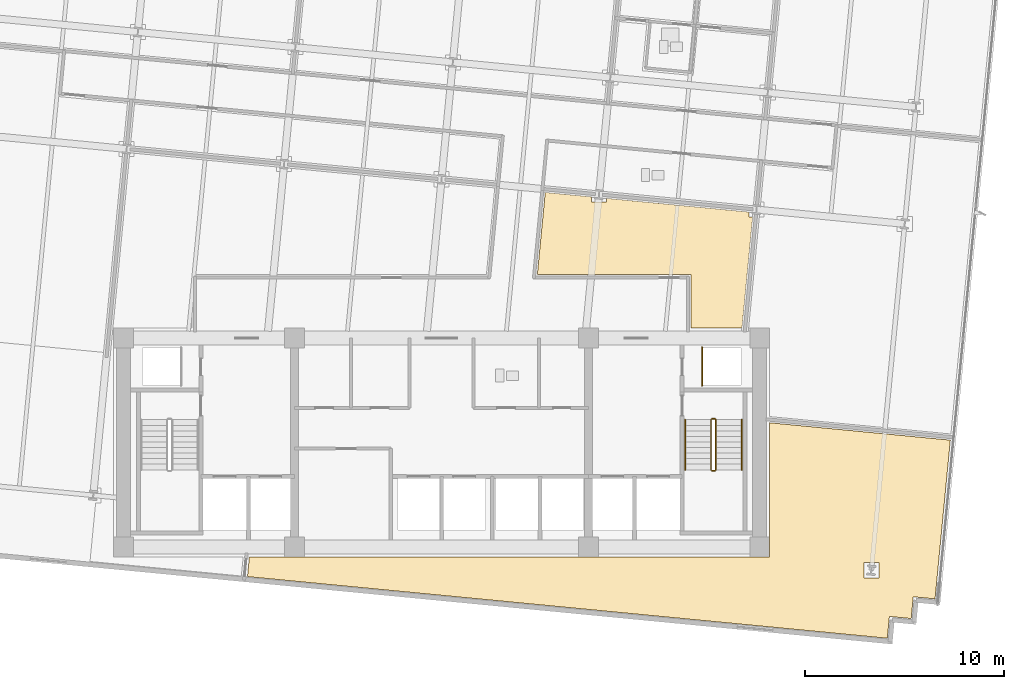
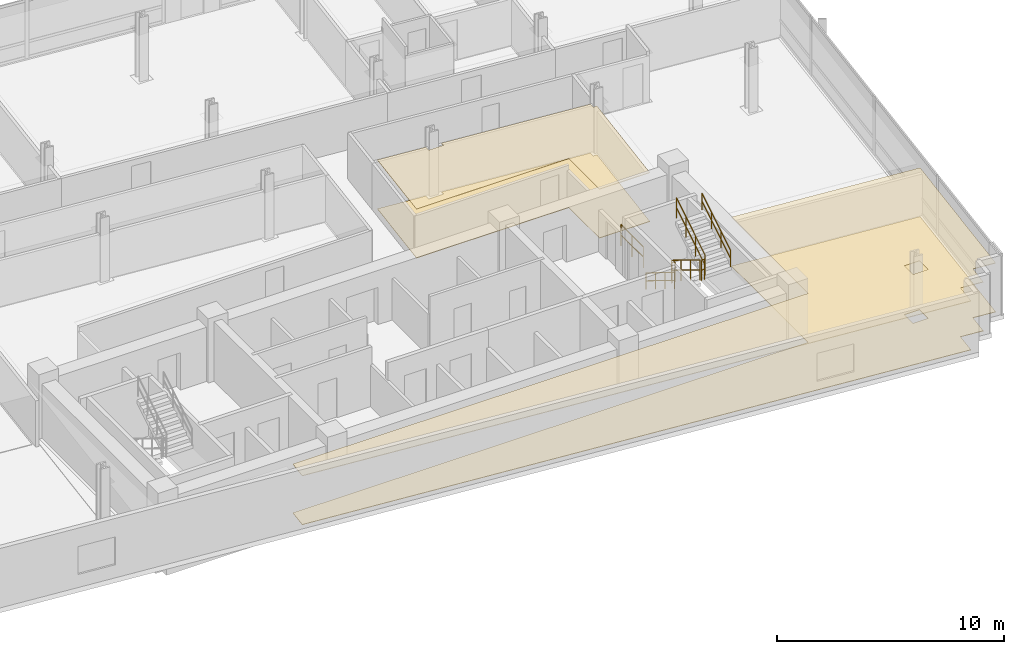
# One storey, part 14 of 17: 7 railings, 4 coverings.
"""IFC4 building model written with IfcOpenShell, lengths in metres."""

from ifc_helpers import new_model, si_unit, direction, frame, origin, origin_2d, place, context, subcontext, project, spatial, polyline, circle, outline, extrude, material, layer, layer_set, type_object, element, save


model = new_model("IFC4")

# Units and contexts
model_context = context("Model", 3, precision=1e-05, world=origin(), true_north=direction((0.0, 1.0)))
body_context = subcontext(model_context, "Body", "Model", "MODEL_VIEW")
ifc_project = project(units=[si_unit("LENGTHUNIT", "METRE"), si_unit("AREAUNIT", "SQUARE_METRE"), si_unit("VOLUMEUNIT", "CUBIC_METRE"), si_unit("PLANEANGLEUNIT", "RADIAN"), si_unit("MASSUNIT", "GRAM", prefix="KILO")], contexts=[model_context])

# Site, building, storey
site_placement = place(None, origin())
site = spatial("IfcSite", under=ifc_project, at=site_placement, CompositionType="ELEMENT")
building_placement = place(site_placement, origin())
building = spatial("IfcBuilding", under=site, at=building_placement, Name="Solmavex Isthmus Hotel", CompositionType="ELEMENT")
storey_placement = place(building_placement, frame((0.0, 0.0, 163.5)))
storey = spatial("IfcBuildingStorey", under=building, at=storey_placement, Name="L44", CompositionType="ELEMENT", Elevation=163.5)

# Coverings
ifc_material_1 = material(Name="Gypsum plasterboard lining", Category="gypsum")
ifc_layer_1 = layer(ifc_material_1, 0.030029296875)
ifc_layer_set_1 = layer_set([ifc_layer_1], Name="Gypsum plasterboard lining")
covering_type_1 = type_object("IfcCoveringType", Name="COV-CEIL-GYP", PredefinedType="CEILING", material=ifc_layer_set_1)
covering_1_placement = place(storey_placement, frame((0.0, 0.0, 2.6201171875)))
element("IfcCovering", 1, at=covering_1_placement, inside=storey, type_object=covering_type_1, Name="Suspended Acoustic Ceiling L44-FL07", PredefinedType="CEILING", context=body_context, shape_type="SweptSolid", body=[
    extrude(outline(polyline([(8.300537109375, 4.535400390625), (8.300537109375, 4.347900390625), (7.540771484375, 4.347900390625), (7.540771484375, 4.608642578125), (5.21533203125, 4.83251953125), (4.81787109375, 0.705078125), (12.554931640625, 0.705078125), (12.554931640625, -1.9951171875), (15.1103515625, -1.9951171875), (15.647705078125, 3.585205078125), (15.4599609375, 3.585205078125), (15.4599609375, 3.84619140625), (8.300537109375, 4.535400390625)])), origin(), (0.0, 0.0, 1.0), 0.02978515625),
])
covering_2_placement = place(storey_placement, frame((0.0, 0.0, 2.6201171875)))
element("IfcCovering", 2, at=covering_2_placement, inside=storey, type_object=covering_type_1, Name="Suspended Acoustic Ceiling L44-FL11", PredefinedType="CEILING", context=body_context, shape_type="SweptSolid", body=[
    extrude(outline(polyline([(21.59619140625, -17.51025390625), (22.41748046875, -17.58935546875), (22.496337890625, -16.768310546875), (22.522705078125, -16.494384765625), (23.61767578125, -16.599853515625), (23.72314453125, -15.5048828125), (24.818115234375, -15.6103515625), (24.897216796875, -14.789306640625), (25.5869140625, -7.62744140625), (16.5048828125, -6.7529296875), (16.5048828125, -13.5048828125), (-9.664794921875, -13.5048828125), (-9.6806640625, -13.669921875), (-9.759765625, -14.4912109375), (13.843994140625, -16.763916015625), (21.59619140625, -17.51025390625)]), holes=[polyline([(21.236328125, -14.552001953125), (21.236328125, -13.7919921875), (21.996337890625, -13.7919921875), (21.996337890625, -14.552001953125), (21.236328125, -14.552001953125)])]), origin(), (0.0, 0.0, 1.0), 0.02978515625),
])
ifc_material_2 = material(Name="Travertine natural stone", Category="masonry")
ifc_layer_2 = layer(ifc_material_2, 0.02490234375)
ifc_layer_set_2 = layer_set([ifc_layer_2], Name="Travertine natural stone")
covering_type_2 = type_object("IfcCoveringType", Name="COV-FLOR-STN", PredefinedType="FLOORING", material=ifc_layer_set_2)
covering_3_placement = place(storey_placement, origin())
element("IfcCovering", 3, at=covering_3_placement, inside=storey, type_object=covering_type_2, Name="Stone and Timber Floor Finish L44-FL07", PredefinedType="FLOORING", context=body_context, shape_type="SweptSolid", body=[
    extrude(outline(polyline([(8.300537109375, 4.535400390625), (8.300537109375, 4.347900390625), (7.540771484375, 4.347900390625), (7.540771484375, 4.608642578125), (5.21533203125, 4.83251953125), (4.81787109375, 0.705078125), (12.554931640625, 0.705078125), (12.554931640625, -1.9951171875), (15.1103515625, -1.9951171875), (15.647705078125, 3.585205078125), (15.4599609375, 3.585205078125), (15.4599609375, 3.84619140625), (8.300537109375, 4.535400390625)])), origin(), (0.0, 0.0, 1.0), 0.02490234375),
])
covering_4_placement = place(storey_placement, origin())
element("IfcCovering", 4, at=covering_4_placement, inside=storey, type_object=covering_type_2, Name="Stone and Timber Floor Finish L44-FL11", PredefinedType="FLOORING", context=body_context, shape_type="SweptSolid", body=[
    extrude(outline(polyline([(21.59619140625, -17.51025390625), (22.41748046875, -17.58935546875), (22.496337890625, -16.768310546875), (22.522705078125, -16.494384765625), (23.61767578125, -16.599853515625), (23.72314453125, -15.5048828125), (24.818115234375, -15.6103515625), (24.897216796875, -14.789306640625), (25.5869140625, -7.62744140625), (16.5048828125, -6.7529296875), (16.5048828125, -13.5048828125), (-9.664794921875, -13.5048828125), (-9.6806640625, -13.669921875), (-9.759765625, -14.4912109375), (13.843994140625, -16.763916015625), (21.59619140625, -17.51025390625)]), holes=[polyline([(21.236328125, -14.552001953125), (21.236328125, -13.7919921875), (21.996337890625, -13.7919921875), (21.996337890625, -14.552001953125), (21.236328125, -14.552001953125)])]), origin(), (0.0, 0.0, 1.0), 0.02490234375),
])

# Railings
ifc_material_3 = material(Name="Clear low-E laminated glass", Category="glass")
ifc_layer_3 = layer(ifc_material_3, 0.080078125)
ifc_layer_set_3 = layer_set([ifc_layer_3], Name="Clear low-E laminated glass")
railing_type_1 = type_object("IfcRailingType", Name="RAIL-ATRIUM-1120", PredefinedType="BALUSTRADE", material=ifc_layer_set_3)
railing_1_placement = place(storey_placement, frame((13.10009765625, -4.89990234375, 0.0)))
element("IfcRailing", 5, at=railing_1_placement, inside=storey, type_object=railing_type_1, Name="Guardrail Balustrade L44-RSE-01", PredefinedType="BALUSTRADE", context=body_context, shape_type="SweptSolid", body=[
    extrude(circle(Radius=0.02392578125, at=origin_2d()), frame((0.0, 0.0, 1.1259765625), z_axis=(0.0, 1.0, 0.0), x_axis=(-1.0, 0.0, 0.0)), (0.0, 0.0, 1.0), 1.949951171875),
    extrude(circle(Radius=0.02392578125, at=origin_2d()), frame((0.0, 0.0, 0.574951171875), z_axis=(0.0, 1.0, 0.0), x_axis=(-1.0, 0.0, 0.0)), (0.0, 0.0, 1.0), 1.949951171875),
    extrude(circle(Radius=0.02099609375, at=origin_2d()), origin(), (0.0, 0.0, 1.0), 1.101806640625),
    extrude(circle(Radius=0.02099609375, at=origin_2d()), frame((0.0, 0.97509765625, 0.0)), (0.0, 0.0, 1.0), 1.101806640625),
    extrude(circle(Radius=0.02099609375, at=origin_2d()), frame((0.0, 1.949951171875, 0.0)), (0.0, 0.0, 1.0), 1.101806640625),
])
ifc_material_4 = material(Name="Stainless steel 316", Category="steel")
ifc_layer_4 = layer(ifc_material_4, 0.06005859375)
ifc_layer_set_4 = layer_set([ifc_layer_4], Name="Stainless steel 316")
railing_type_2 = type_object("IfcRailingType", Name="RAIL-STAIR-GD", PredefinedType="GUARDRAIL", material=ifc_layer_set_4)
railing_2_placement = place(storey_placement, frame((13.550048828125, -6.60009765625, 0.172607421875)))
element("IfcRailing", 6, at=railing_2_placement, inside=storey, type_object=railing_type_2, Name="L44 ST-2 stair guard 1", PredefinedType="GUARDRAIL", context=body_context, shape_type="SweptSolid", body=[
    extrude(circle(Radius=0.02392578125, at=origin_2d()), frame((0.0, 0.0, 1.09619140625), z_axis=(0.0, -0.851400495292, 0.524516154772), x_axis=(1.0, 0.0, 0.0)), (0.0, 0.0, 1.0), 2.9599609375),
    extrude(circle(Radius=0.02392578125, at=origin_2d()), frame((0.0, 0.0, 0.56005859375), z_axis=(0.0, -0.851400495292, 0.524516154772), x_axis=(1.0, 0.0, 0.0)), (0.0, 0.0, 1.0), 2.9599609375),
    extrude(circle(Radius=0.02099609375, at=origin_2d()), origin(), (0.0, 0.0, 1.0), 1.072021484375),
    extrude(circle(Radius=0.02099609375, at=origin_2d()), frame((0.0, -0.840087890625, 0.517578125)), (0.0, 0.0, 1.0), 1.072021484375),
    extrude(circle(Radius=0.02099609375, at=origin_2d()), frame((0.0, -1.679931640625, 1.034912109375)), (0.0, 0.0, 1.0), 1.072021484375),
    extrude(circle(Radius=0.02099609375, at=origin_2d()), frame((0.0, -2.52001953125, 1.552490234375)), (0.0, 0.0, 1.0), 1.072021484375),
])
railing_3_placement = place(storey_placement, frame((13.60009765625, -9.169921875, 1.72509765625)))
element("IfcRailing", 7, at=railing_3_placement, inside=storey, type_object=railing_type_2, Name="L44 ST-2 stair guard 2", PredefinedType="GUARDRAIL", context=body_context, shape_type="SweptSolid", body=[
    extrude(circle(Radius=0.02392578125, at=origin_2d()), frame((0.0, 0.0, 1.09619140625), z_axis=(1.0, 0.0, 0.0), x_axis=(0.0, 1.0, 0.0)), (0.0, 0.0, 1.0), 0.14990234375),
    extrude(circle(Radius=0.02392578125, at=origin_2d()), frame((0.0, 0.0, 0.56005859375), z_axis=(1.0, 0.0, 0.0), x_axis=(0.0, 1.0, 0.0)), (0.0, 0.0, 1.0), 0.14990234375),
    extrude(circle(Radius=0.02099609375, at=origin_2d()), origin(), (0.0, 0.0, 1.0), 1.072021484375),
    extrude(circle(Radius=0.02099609375, at=origin_2d()), frame((0.14990234375, 0.0, 0.0)), (0.0, 0.0, 1.0), 1.072021484375),
])
railing_4_placement = place(storey_placement, frame((13.800048828125, -9.1201171875, 1.8974609375)))
element("IfcRailing", 8, at=railing_4_placement, inside=storey, type_object=railing_type_2, Name="L44 ST-2 stair guard 3", PredefinedType="GUARDRAIL", context=body_context, shape_type="SweptSolid", body=[
    extrude(circle(Radius=0.02392578125, at=origin_2d()), frame((0.0, 0.0, 1.09619140625), z_axis=(0.0, 0.851400495292, 0.524516154772), x_axis=(-1.0, 0.0, 0.0)), (0.0, 0.0, 1.0), 2.9599609375),
    extrude(circle(Radius=0.02392578125, at=origin_2d()), frame((0.0, 0.0, 0.56005859375), z_axis=(0.0, 0.851400495292, 0.524516154772), x_axis=(-1.0, 0.0, 0.0)), (0.0, 0.0, 1.0), 2.9599609375),
    extrude(circle(Radius=0.02099609375, at=origin_2d()), origin(), (0.0, 0.0, 1.0), 1.072021484375),
    extrude(circle(Radius=0.02099609375, at=origin_2d()), frame((0.0, 0.840087890625, 0.517578125)), (0.0, 0.0, 1.0), 1.072021484375),
    extrude(circle(Radius=0.02099609375, at=origin_2d()), frame((0.0, 1.679931640625, 1.034912109375)), (0.0, 0.0, 1.0), 1.072021484375),
    extrude(circle(Radius=0.02099609375, at=origin_2d()), frame((0.0, 2.52001953125, 1.552490234375)), (0.0, 0.0, 1.0), 1.072021484375),
])
railing_5_placement = place(storey_placement, frame((13.60009765625, -6.550048828125, 0.0)))
element("IfcRailing", 9, at=railing_5_placement, inside=storey, type_object=railing_type_2, Name="L44 ST-2 stair guard 4", PredefinedType="GUARDRAIL", context=body_context, shape_type="SweptSolid", body=[
    extrude(circle(Radius=0.02392578125, at=origin_2d()), frame((0.0, 0.0, 1.09619140625), z_axis=(1.0, 0.0, 0.0), x_axis=(0.0, 1.0, 0.0)), (0.0, 0.0, 1.0), 0.14990234375),
    extrude(circle(Radius=0.02392578125, at=origin_2d()), frame((0.0, 0.0, 0.56005859375), z_axis=(1.0, 0.0, 0.0), x_axis=(0.0, 1.0, 0.0)), (0.0, 0.0, 1.0), 0.14990234375),
    extrude(circle(Radius=0.02099609375, at=origin_2d()), origin(), (0.0, 0.0, 1.0), 1.072021484375),
    extrude(circle(Radius=0.02099609375, at=origin_2d()), frame((0.14990234375, 0.0, 0.0)), (0.0, 0.0, 1.0), 1.072021484375),
])
ifc_layer_5 = layer(ifc_material_4, 0.050048828125)
ifc_layer_set_5 = layer_set([ifc_layer_5], Name="Stainless steel 316")
railing_type_3 = type_object("IfcRailingType", Name="RAIL-STAIR-HR", PredefinedType="HANDRAIL", material=ifc_layer_set_5)
railing_6_placement = place(storey_placement, frame((12.25, -6.60009765625, 0.172607421875)))
element("IfcRailing", 10, at=railing_6_placement, inside=storey, type_object=railing_type_3, Name="L44 ST-2 stair handrail 1", PredefinedType="HANDRAIL", context=body_context, shape_type="SweptSolid", body=[
    extrude(circle(Radius=0.02392578125, at=origin_2d()), frame((0.0, 0.0, 0.8759765625), z_axis=(0.0, -0.851400495292, 0.524516154772), x_axis=(1.0, 0.0, 0.0)), (0.0, 0.0, 1.0), 2.9599609375),
    extrude(circle(Radius=0.02392578125, at=origin_2d()), frame((0.0, 0.0, 0.449951171875), z_axis=(0.0, -0.851400495292, 0.524516154772), x_axis=(1.0, 0.0, 0.0)), (0.0, 0.0, 1.0), 2.9599609375),
    extrude(circle(Radius=0.02099609375, at=origin_2d()), origin(), (0.0, 0.0, 1.0), 0.851806640625),
    extrude(circle(Radius=0.02099609375, at=origin_2d()), frame((0.0, -0.840087890625, 0.517578125)), (0.0, 0.0, 1.0), 0.851806640625),
    extrude(circle(Radius=0.02099609375, at=origin_2d()), frame((0.0, -1.679931640625, 1.034912109375)), (0.0, 0.0, 1.0), 0.851806640625),
    extrude(circle(Radius=0.02099609375, at=origin_2d()), frame((0.0, -2.52001953125, 1.552490234375)), (0.0, 0.0, 1.0), 0.851806640625),
])
railing_7_placement = place(storey_placement, frame((15.10009765625, -9.1201171875, 1.8974609375)))
element("IfcRailing", 11, at=railing_7_placement, inside=storey, type_object=railing_type_3, Name="L44 ST-2 stair handrail 2", PredefinedType="HANDRAIL", context=body_context, shape_type="SweptSolid", body=[
    extrude(circle(Radius=0.02392578125, at=origin_2d()), frame((0.0, 0.0, 0.8759765625), z_axis=(0.0, 0.851400495292, 0.524516154772), x_axis=(-1.0, 0.0, 0.0)), (0.0, 0.0, 1.0), 2.9599609375),
    extrude(circle(Radius=0.02392578125, at=origin_2d()), frame((0.0, 0.0, 0.449951171875), z_axis=(0.0, 0.851400495292, 0.524516154772), x_axis=(-1.0, 0.0, 0.0)), (0.0, 0.0, 1.0), 2.9599609375),
    extrude(circle(Radius=0.02099609375, at=origin_2d()), origin(), (0.0, 0.0, 1.0), 0.851806640625),
    extrude(circle(Radius=0.02099609375, at=origin_2d()), frame((0.0, 0.840087890625, 0.517578125)), (0.0, 0.0, 1.0), 0.851806640625),
    extrude(circle(Radius=0.02099609375, at=origin_2d()), frame((0.0, 1.679931640625, 1.034912109375)), (0.0, 0.0, 1.0), 0.851806640625),
    extrude(circle(Radius=0.02099609375, at=origin_2d()), frame((0.0, 2.52001953125, 1.552490234375)), (0.0, 0.0, 1.0), 0.851806640625),
])

save(model, "model.ifc")
